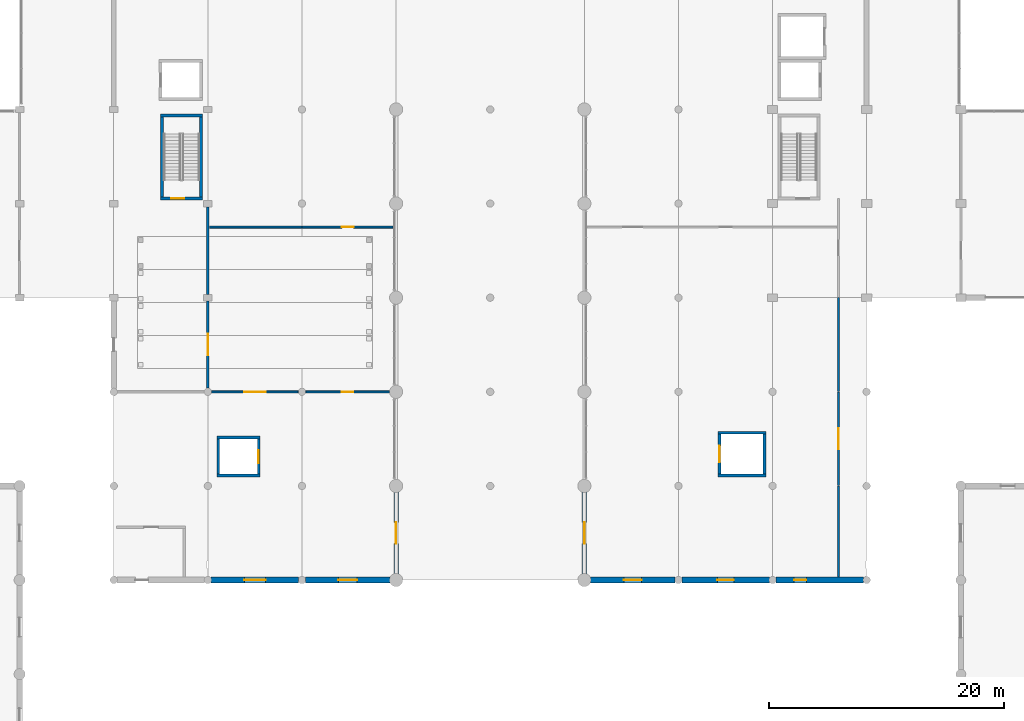
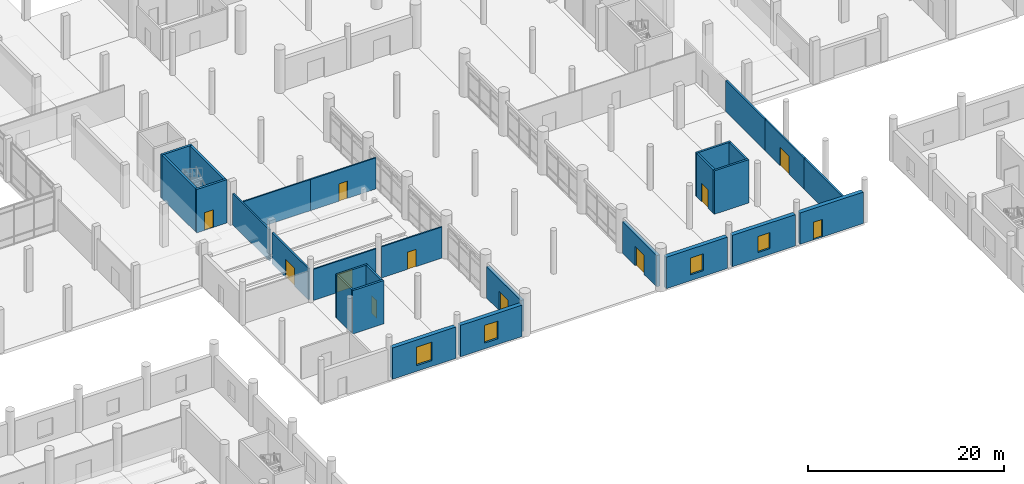
# One storey, part 23 of 42: 28 walls, 11 doors, 4 windows, 15 openings.
"""IFC4 building model written with IfcOpenShell, lengths in metres."""

from ifc_helpers import new_model, si_unit, direction, frame, frame_2d, origin, place, context, subcontext, project, spatial, rectangle, extrude, material, layer, layer_set, type_object, element, fill, save


model = new_model("IFC4")

# Units and contexts
model_context = context("Model", 3, precision=1e-05, world=origin(), true_north=direction((0.0, 1.0)))
body_context = subcontext(model_context, "Body", "Model", "MODEL_VIEW")
ifc_project = project(units=[si_unit("LENGTHUNIT", "METRE"), si_unit("AREAUNIT", "SQUARE_METRE"), si_unit("VOLUMEUNIT", "CUBIC_METRE"), si_unit("PLANEANGLEUNIT", "RADIAN"), si_unit("MASSUNIT", "GRAM", prefix="KILO")], contexts=[model_context])

# Site, building, storey
site_placement = place(None, origin())
site = spatial("IfcSite", under=ifc_project, at=site_placement, CompositionType="ELEMENT")
building_placement = place(site_placement, origin())
building = spatial("IfcBuilding", under=site, at=building_placement, Name="Pecanmere Concourse Central Library", CompositionType="ELEMENT")
storey_placement = place(building_placement, origin())
storey = spatial("IfcBuildingStorey", under=building, at=storey_placement, Name="L01", CompositionType="ELEMENT", Elevation=0.0)

# Wall, opening, window
ifc_material_1 = material(Name="Texas sunset granite ashlar", Category="masonry")
ifc_layer_1 = layer(ifc_material_1, 0.47998046875, Name="EW_GRAN_480")
ifc_layer_set_1 = layer_set([ifc_layer_1], Name="Texas sunset granite ashlar")
wall_type_1 = type_object("IfcWallType", Name="EW_GRAN_480", PredefinedType="STANDARD", material=ifc_layer_set_1)
wall_1_placement = place(storey_placement, frame((64.279052734375, 24.0, 0.0), z_axis=(0.0, 0.0, 1.0), x_axis=(1.0, 0.0, 0.0)))
wall_1 = element("IfcWall", 1, at=wall_1_placement, inside=storey, type_object=wall_type_1, Name="Limestone Facade Wall L01-0218", PredefinedType="STANDARD", context=body_context, shape_type="SweptSolid", body=[
    extrude(rectangle(XDim=7.44189453125, YDim=0.47998046875, at=frame_2d((3.720947265625, 0.0))), origin(), (0.0, 0.0, 1.0), 3.909912109375),
])
opening_1_placement = place(wall_1_placement, frame((2.821044921875, 0.0, 0.719970703125)))
opening_1 = element("IfcOpeningElement", 2, at=opening_1_placement, cuts=wall_1, Name="Opening WN-04", PredefinedType="OPENING", context=body_context, shape_type="SweptSolid", body=[
    extrude(rectangle(XDim=1.800048828125, YDim=2.300048828125, at=frame_2d((0.89990234375, 1.14990234375))), frame((0.0, 0.251953125, 0.0), z_axis=(0.0, -1.0, 0.0), x_axis=(1.0, 0.0, 0.0)), (0.0, 0.0, 1.0), 0.50390625),
])
ifc_material_2 = material(Name="Low-iron clear insulated glazing", Category="glass")
window_type_1 = type_object("IfcWindowType", Name="WIN_1800x2300", PartitioningType="SINGLE_PANEL", PredefinedType="WINDOW", material=ifc_material_2)
window_1_placement = place(opening_1_placement, origin())
window_1 = element("IfcWindow", 3, at=window_1_placement, inside=storey, type_object=window_type_1, Name="WN-182", OverallHeight=2.300048828125, OverallWidth=1.800048828125, PartitioningType="SINGLE_PANEL", PredefinedType="WINDOW", context=body_context, shape_type="SweptSolid", body=[
    extrude(rectangle(XDim=1.800048828125, YDim=2.300048828125, at=frame_2d((0.89990234375, 1.14990234375))), frame((0.0, 0.030029296875, 0.0), z_axis=(0.0, -1.0, 0.0), x_axis=(1.0, 0.0, 0.0)), (0.0, 0.0, 1.0), 0.06005859375),
])
fill(opening_1, window_1)

wall_2_placement = place(storey_placement, frame((72.279052734375, 24.0, 0.0), z_axis=(0.0, 0.0, 1.0), x_axis=(1.0, 0.0, 0.0)))
wall_2 = element("IfcWall", 4, at=wall_2_placement, inside=storey, type_object=wall_type_1, Name="Limestone Facade Wall L01-0219", PredefinedType="STANDARD", context=body_context, shape_type="SweptSolid", body=[
    extrude(rectangle(XDim=7.217041015625, YDim=0.47998046875, at=frame_2d((3.6083984375, 0.0))), origin(), (0.0, 0.0, 1.0), 3.909912109375),
])
opening_2_placement = place(wall_2_placement, frame((2.80859375, 0.0, 0.719970703125)))
opening_2 = element("IfcOpeningElement", 5, at=opening_2_placement, cuts=wall_2, Name="Opening WN-06", PredefinedType="OPENING", context=body_context, shape_type="SweptSolid", body=[
    extrude(rectangle(XDim=1.60009765625, YDim=2.199951171875, at=frame_2d((0.800048828125, 1.10009765625))), frame((0.0, 0.251953125, 0.0), z_axis=(0.0, -1.0, 0.0), x_axis=(1.0, 0.0, 0.0)), (0.0, 0.0, 1.0), 0.50390625),
])
ifc_material_3 = material(Name="Low-iron clear insulated glazing", Category="glass")
window_type_2 = type_object("IfcWindowType", Name="WIN_1600x2200", PartitioningType="SINGLE_PANEL", PredefinedType="WINDOW", material=ifc_material_3)
window_2_placement = place(opening_2_placement, origin())
window_2 = element("IfcWindow", 6, at=window_2_placement, inside=storey, type_object=window_type_2, Name="WN-183", OverallHeight=2.199951171875, OverallWidth=1.60009765625, PartitioningType="SINGLE_PANEL", PredefinedType="WINDOW", context=body_context, shape_type="SweptSolid", body=[
    extrude(rectangle(XDim=1.60009765625, YDim=2.199951171875, at=frame_2d((0.800048828125, 1.10009765625))), frame((0.0, 0.030029296875, 0.0), z_axis=(0.0, -1.0, 0.0), x_axis=(1.0, 0.0, 0.0)), (0.0, 0.0, 1.0), 0.06005859375),
])
fill(opening_2, window_2)

wall_3_placement = place(storey_placement, frame((96.50390625, 24.0, 0.0), z_axis=(0.0, 0.0, 1.0), x_axis=(1.0, 0.0, 0.0)))
wall_3 = element("IfcWall", 7, at=wall_3_placement, inside=storey, type_object=wall_type_1, Name="Limestone Facade Wall L01-0220", PredefinedType="STANDARD", context=body_context, shape_type="SweptSolid", body=[
    extrude(rectangle(XDim=7.217041015625, YDim=0.47998046875, at=frame_2d((3.6083984375, 0.0))), origin(), (0.0, 0.0, 1.0), 3.909912109375),
])
opening_3_placement = place(wall_3_placement, frame((2.8583984375, 0.0, 0.719970703125)))
opening_3 = element("IfcOpeningElement", 8, at=opening_3_placement, cuts=wall_3, Name="Opening WN-08", PredefinedType="OPENING", context=body_context, shape_type="SweptSolid", body=[
    extrude(rectangle(XDim=1.5, YDim=2.10009765625, at=frame_2d((0.75, 1.050048828125))), frame((0.0, 0.251953125, 0.0), z_axis=(0.0, -1.0, 0.0), x_axis=(1.0, 0.0, 0.0)), (0.0, 0.0, 1.0), 0.50390625),
])
ifc_material_4 = material(Name="Low-iron clear insulated glazing", Category="glass")
window_type_3 = type_object("IfcWindowType", Name="WIN_1500x2100", PartitioningType="SINGLE_PANEL", PredefinedType="WINDOW", material=ifc_material_4)
window_3_placement = place(opening_3_placement, origin())
window_3 = element("IfcWindow", 9, at=window_3_placement, inside=storey, type_object=window_type_3, Name="WN-184", OverallHeight=2.10009765625, OverallWidth=1.5, PartitioningType="SINGLE_PANEL", PredefinedType="WINDOW", context=body_context, shape_type="SweptSolid", body=[
    extrude(rectangle(XDim=1.5, YDim=2.10009765625, at=frame_2d((0.75, 1.050048828125))), frame((0.0, 0.030029296875, 0.0), z_axis=(0.0, -1.0, 0.0), x_axis=(1.0, 0.0, 0.0)), (0.0, 0.0, 1.0), 0.06005859375),
])
fill(opening_3, window_3)

wall_4_placement = place(storey_placement, frame((104.279052734375, 24.0, 0.0), z_axis=(0.0, 0.0, 1.0), x_axis=(1.0, 0.0, 0.0)))
wall_4 = element("IfcWall", 10, at=wall_4_placement, inside=storey, type_object=wall_type_1, Name="Limestone Facade Wall L01-0221", PredefinedType="STANDARD", context=body_context, shape_type="SweptSolid", body=[
    extrude(rectangle(XDim=7.44189453125, YDim=0.47998046875, at=frame_2d((3.720947265625, 0.0))), origin(), (0.0, 0.0, 1.0), 3.909912109375),
])
opening_4_placement = place(wall_4_placement, frame((3.02099609375, 0.0, 0.719970703125)))
opening_4 = element("IfcOpeningElement", 11, at=opening_4_placement, cuts=wall_4, Name="Opening WN-10", PredefinedType="OPENING", context=body_context, shape_type="SweptSolid", body=[
    extrude(rectangle(XDim=1.39990234375, YDim=2.0, at=frame_2d((0.699951171875, 1.0))), frame((0.0, 0.251953125, 0.0), z_axis=(0.0, -1.0, 0.0), x_axis=(1.0, 0.0, 0.0)), (0.0, 0.0, 1.0), 0.50390625),
])
ifc_material_5 = material(Name="Low-iron clear insulated glazing", Category="glass")
window_type_4 = type_object("IfcWindowType", Name="WIN_1400x2000", PartitioningType="SINGLE_PANEL", PredefinedType="WINDOW", material=ifc_material_5)
window_4_placement = place(opening_4_placement, origin())
window_4 = element("IfcWindow", 12, at=window_4_placement, inside=storey, type_object=window_type_4, Name="WN-185", OverallHeight=2.0, OverallWidth=1.39990234375, PartitioningType="SINGLE_PANEL", PredefinedType="WINDOW", context=body_context, shape_type="SweptSolid", body=[
    extrude(rectangle(XDim=1.39990234375, YDim=2.0, at=frame_2d((0.699951171875, 1.0))), frame((0.0, 0.030029296875, 0.0), z_axis=(0.0, -1.0, 0.0), x_axis=(1.0, 0.0, 0.0)), (0.0, 0.0, 1.0), 0.06005859375),
])
fill(opening_4, window_4)

# Wall, opening, door
wall_5_placement = place(storey_placement, frame((112.279052734375, 24.0, 0.0), z_axis=(0.0, 0.0, 1.0), x_axis=(1.0, 0.0, 0.0)))
wall_5 = element("IfcWall", 13, at=wall_5_placement, inside=storey, type_object=wall_type_1, Name="Limestone Facade Wall L01-0222", PredefinedType="STANDARD", context=body_context, shape_type="SweptSolid", body=[
    extrude(rectangle(XDim=7.44189453125, YDim=0.47998046875, at=frame_2d((3.720947265625, 0.0))), origin(), (0.0, 0.0, 1.0), 3.909912109375),
])
opening_5_placement = place(wall_5_placement, frame((1.550048828125, 0.0, 0.0)))
opening_5 = element("IfcOpeningElement", 14, at=opening_5_placement, cuts=wall_5, Name="Opening ED-05", PredefinedType="OPENING", context=body_context, shape_type="SweptSolid", body=[
    extrude(rectangle(XDim=1.050048828125, YDim=2.199951171875, at=frame_2d((0.52490234375, 1.10009765625))), frame((0.0, 0.251953125, 0.0), z_axis=(0.0, -1.0, 0.0), x_axis=(1.0, 0.0, 0.0)), (0.0, 0.0, 1.0), 0.50390625),
])
ifc_material_6 = material(Name="Anodized bronze aluminium alloy 6063-T6", Category="aluminium")
door_type_1 = type_object("IfcDoorType", Name="ED-05", OperationType="SINGLE_SWING_RIGHT", PredefinedType="DOOR", material=ifc_material_6)
door_1_placement = place(opening_5_placement, frame((1.050048828125, 0.0, 0.0), z_axis=(0.0, 0.0, 1.0), x_axis=(-1.0, 0.0, 0.0)))
door_1 = element("IfcDoor", 15, at=door_1_placement, inside=storey, type_object=door_type_1, Name="ED-021", OperationType="SINGLE_SWING_RIGHT", OverallHeight=2.199951171875, OverallWidth=1.050048828125, PredefinedType="DOOR", context=body_context, shape_type="SweptSolid", body=[
    extrude(rectangle(XDim=1.050048828125, YDim=2.199951171875, at=frame_2d((0.52490234375, 1.10009765625))), frame((0.0, 0.02490234375, 0.0), z_axis=(0.0, -1.0, 0.0), x_axis=(1.0, 0.0, 0.0)), (0.0, 0.0, 1.0), 0.050048828125),
])
fill(opening_5, door_1)

ifc_material_7 = material(Name="Texas cream limestone ashlar masonry", Category="masonry")
ifc_layer_2 = layer(ifc_material_7, 0.389892578125, Name="EW_LIME_390")
ifc_layer_set_2 = layer_set([ifc_layer_2], Name="Texas cream limestone ashlar masonry")
wall_type_2 = type_object("IfcWallType", Name="EW_LIME_390", PredefinedType="STANDARD", material=ifc_layer_set_2)
wall_6_placement = place(storey_placement, frame((80.0, 24.50390625, 0.0), z_axis=(0.0, 0.0, 1.0), x_axis=(0.0, 1.0, 0.0)))
wall_6 = element("IfcWall", 16, at=wall_6_placement, inside=storey, type_object=wall_type_2, Name="Limestone Facade Wall L01-0008", PredefinedType="STANDARD", context=body_context, shape_type="SweptSolid", body=[
    extrude(rectangle(XDim=6.9921875, YDim=0.389892578125, at=frame_2d((3.49609375, 0.0))), origin(), (0.0, 0.0, 1.0), 3.909912109375),
])
opening_6_placement = place(wall_6_placement, frame((2.595947265625, 0.0, 0.0)))
opening_6 = element("IfcOpeningElement", 17, at=opening_6_placement, cuts=wall_6, Name="Opening ED-03", PredefinedType="OPENING", context=body_context, shape_type="SweptSolid", body=[
    extrude(rectangle(XDim=1.800048828125, YDim=2.39990234375, at=frame_2d((0.89990234375, 1.199951171875))), frame((0.0, 0.20703125, 0.0), z_axis=(0.0, -1.0, 0.0), x_axis=(1.0, 0.0, 0.0)), (0.0, 0.0, 1.0), 0.413818359375),
])
ifc_material_8 = material(Name="Architectural anodized bronze")
door_type_2 = type_object("IfcDoorType", Name="ED-03", OperationType="DOUBLE_DOOR_SINGLE_SWING", PredefinedType="DOOR", material=ifc_material_8)
door_2_placement = place(opening_6_placement, frame((1.800048828125, 0.0, 0.0), z_axis=(0.0, 0.0, 1.0), x_axis=(-1.0, 0.0, 0.0)))
door_2 = element("IfcDoor", 18, at=door_2_placement, inside=storey, type_object=door_type_2, Name="ED-008", OperationType="DOUBLE_DOOR_SINGLE_SWING", OverallHeight=2.39990234375, OverallWidth=1.800048828125, PredefinedType="DOOR", context=body_context, shape_type="SweptSolid", body=[
    extrude(rectangle(XDim=1.800048828125, YDim=2.39990234375, at=frame_2d((0.89990234375, 1.199951171875))), frame((0.0, 0.02490234375, 0.0), z_axis=(0.0, -1.0, 0.0), x_axis=(1.0, 0.0, 0.0)), (0.0, 0.0, 1.0), 0.050048828125),
])
fill(opening_6, door_2)

wall_7_placement = place(storey_placement, frame((96.0, 24.50390625, 0.0), z_axis=(0.0, 0.0, 1.0), x_axis=(0.0, 1.0, 0.0)))
wall_7 = element("IfcWall", 19, at=wall_7_placement, inside=storey, type_object=wall_type_2, Name="Limestone Facade Wall L01-0009", PredefinedType="STANDARD", context=body_context, shape_type="SweptSolid", body=[
    extrude(rectangle(XDim=6.9921875, YDim=0.389892578125, at=frame_2d((3.49609375, 0.0))), origin(), (0.0, 0.0, 1.0), 3.909912109375),
])
opening_7_placement = place(wall_7_placement, frame((2.595947265625, 0.0, 0.0)))
opening_7 = element("IfcOpeningElement", 20, at=opening_7_placement, cuts=wall_7, Name="Opening ED-03", PredefinedType="OPENING", context=body_context, shape_type="SweptSolid", body=[
    extrude(rectangle(XDim=1.800048828125, YDim=2.39990234375, at=frame_2d((0.89990234375, 1.199951171875))), frame((0.0, 0.20703125, 0.0), z_axis=(0.0, -1.0, 0.0), x_axis=(1.0, 0.0, 0.0)), (0.0, 0.0, 1.0), 0.413818359375),
])
door_3_placement = place(opening_7_placement, origin())
door_3 = element("IfcDoor", 21, at=door_3_placement, inside=storey, type_object=door_type_2, Name="ED-009", OperationType="DOUBLE_DOOR_SINGLE_SWING", OverallHeight=2.39990234375, OverallWidth=1.800048828125, PredefinedType="DOOR", context=body_context, shape_type="SweptSolid", body=[
    extrude(rectangle(XDim=1.800048828125, YDim=2.39990234375, at=frame_2d((0.89990234375, 1.199951171875))), frame((0.0, 0.02490234375, 0.0), z_axis=(0.0, -1.0, 0.0), x_axis=(1.0, 0.0, 0.0)), (0.0, 0.0, 1.0), 0.050048828125),
])
fill(opening_7, door_3)

ifc_material_9 = material(Name="Fire-rated gypsum board on acoustic steel stud", Category="steel")
ifc_layer_3 = layer(ifc_material_9, 0.159912109375, Name="IW_PART_160")
ifc_layer_set_3 = layer_set([ifc_layer_3], Name="Fire-rated gypsum board on acoustic steel stud")
wall_type_3 = type_object("IfcWallType", Name="IW_PART_160", PredefinedType="PARTITIONING", material=ifc_layer_set_3)
wall_8_placement = place(storey_placement, frame((64.320068359375, 40.0, 0.0), z_axis=(0.0, 0.0, 1.0), x_axis=(1.0, 0.0, 0.0)))
wall_8 = element("IfcWall", 22, at=wall_8_placement, inside=storey, type_object=wall_type_3, Name="Interior Partition L01-0105", PredefinedType="PARTITIONING", context=body_context, shape_type="SweptSolid", body=[
    extrude(rectangle(XDim=7.35986328125, YDim=0.159912109375, at=frame_2d((3.679931640625, 0.0))), origin(), (0.0, 0.0, 1.0), 3.8798828125),
])
opening_8_placement = place(wall_8_placement, frame((2.780029296875, 0.0, 0.0)))
opening_8 = element("IfcOpeningElement", 23, at=opening_8_placement, cuts=wall_8, Name="Opening DT-01", PredefinedType="OPENING", context=body_context, shape_type="SweptSolid", body=[
    extrude(rectangle(XDim=1.800048828125, YDim=2.300048828125, at=frame_2d((0.89990234375, 1.14990234375))), frame((0.0, 0.091796875, 0.0), z_axis=(0.0, -1.0, 0.0), x_axis=(1.0, 0.0, 0.0)), (0.0, 0.0, 1.0), 0.183837890625),
])
ifc_material_10 = material(Name="Solid white oak architectural joinery")
door_type_3 = type_object("IfcDoorType", Name="DT-01", OperationType="DOUBLE_DOOR_SINGLE_SWING", PredefinedType="DOOR", material=ifc_material_10)
door_4_placement = place(opening_8_placement, frame((1.800048828125, 0.0, 0.0), z_axis=(0.0, 0.0, 1.0), x_axis=(-1.0, 0.0, 0.0)))
door_4 = element("IfcDoor", 24, at=door_4_placement, inside=storey, type_object=door_type_3, Name="D-171", OperationType="DOUBLE_DOOR_SINGLE_SWING", OverallHeight=2.300048828125, OverallWidth=1.800048828125, PredefinedType="DOOR", context=body_context, shape_type="SweptSolid", body=[
    extrude(rectangle(XDim=1.800048828125, YDim=2.300048828125, at=frame_2d((0.89990234375, 1.14990234375))), frame((0.0, 0.02490234375, 0.0), z_axis=(0.0, -1.0, 0.0), x_axis=(1.0, 0.0, 0.0)), (0.0, 0.0, 1.0), 0.050048828125),
])
fill(opening_8, door_4)

wall_9_placement = place(storey_placement, frame((72.320068359375, 40.0, 0.0), z_axis=(0.0, 0.0, 1.0), x_axis=(1.0, 0.0, 0.0)))
wall_9 = element("IfcWall", 25, at=wall_9_placement, inside=storey, type_object=wall_type_3, Name="Interior Partition L01-0106", PredefinedType="PARTITIONING", context=body_context, shape_type="SweptSolid", body=[
    extrude(rectangle(XDim=7.10986328125, YDim=0.159912109375, at=frame_2d((3.554931640625, 0.0))), origin(), (0.0, 0.0, 1.0), 3.8798828125),
])
opening_9_placement = place(wall_9_placement, frame((3.054931640625, 0.0, 0.0)))
opening_9 = element("IfcOpeningElement", 26, at=opening_9_placement, cuts=wall_9, Name="Opening DT-04", PredefinedType="OPENING", context=body_context, shape_type="SweptSolid", body=[
    extrude(rectangle(XDim=1.0, YDim=2.14990234375, at=frame_2d((0.5, 1.074951171875))), frame((0.0, 0.091796875, 0.0), z_axis=(0.0, -1.0, 0.0), x_axis=(1.0, 0.0, 0.0)), (0.0, 0.0, 1.0), 0.183837890625),
])
ifc_material_11 = material(Name="Solid white oak architectural joinery")
door_type_4 = type_object("IfcDoorType", Name="DT-04", OperationType="SINGLE_SWING_RIGHT", PredefinedType="DOOR", material=ifc_material_11)
door_5_placement = place(opening_9_placement, origin())
door_5 = element("IfcDoor", 27, at=door_5_placement, inside=storey, type_object=door_type_4, Name="D-172", OperationType="SINGLE_SWING_RIGHT", OverallHeight=2.14990234375, OverallWidth=1.0, PredefinedType="DOOR", context=body_context, shape_type="SweptSolid", body=[
    extrude(rectangle(XDim=1.0, YDim=2.14990234375, at=frame_2d((0.5, 1.074951171875))), frame((0.0, 0.02490234375, 0.0), z_axis=(0.0, -1.0, 0.0), x_axis=(1.0, 0.0, 0.0)), (0.0, 0.0, 1.0), 0.050048828125),
])
fill(opening_9, door_5)

# Wall
wall_10_placement = place(storey_placement, frame((64.14990234375, 54.0, 0.0), z_axis=(0.0, 0.0, 1.0), x_axis=(1.0, 0.0, 0.0)))
element("IfcWall", 28, at=wall_10_placement, inside=storey, type_object=wall_type_3, Name="Interior Partition L01-0107", PredefinedType="PARTITIONING", context=body_context, shape_type="SweptSolid", body=[
    extrude(rectangle(XDim=7.85009765625, YDim=0.159912109375, at=frame_2d((3.925048828125, 0.0))), origin(), (0.0, 0.0, 1.0), 3.8798828125),
])

# Wall, opening, door
wall_11_placement = place(storey_placement, frame((72.02001953125, 54.0, 0.0), z_axis=(0.0, 0.0, 1.0), x_axis=(1.0, 0.0, 0.0)))
wall_11 = element("IfcWall", 29, at=wall_11_placement, inside=storey, type_object=wall_type_3, Name="Interior Partition L01-0108", PredefinedType="PARTITIONING", context=body_context, shape_type="SweptSolid", body=[
    extrude(rectangle(XDim=7.72998046875, YDim=0.159912109375, at=frame_2d((3.864990234375, 0.0))), origin(), (0.0, 0.0, 1.0), 3.8798828125),
])
opening_10_placement = place(wall_11_placement, frame((3.364990234375, 0.0, 0.0)))
opening_10 = element("IfcOpeningElement", 30, at=opening_10_placement, cuts=wall_11, Name="Opening DT-03", PredefinedType="OPENING", context=body_context, shape_type="SweptSolid", body=[
    extrude(rectangle(XDim=1.0, YDim=2.14990234375, at=frame_2d((0.5, 1.074951171875))), frame((0.0, 0.091796875, 0.0), z_axis=(0.0, -1.0, 0.0), x_axis=(1.0, 0.0, 0.0)), (0.0, 0.0, 1.0), 0.183837890625),
])
ifc_material_12 = material(Name="Solid white oak architectural joinery")
door_type_5 = type_object("IfcDoorType", Name="DT-03", OperationType="SINGLE_SWING_LEFT", PredefinedType="DOOR", material=ifc_material_12)
door_6_placement = place(opening_10_placement, frame((1.0, 0.0, 0.0), z_axis=(0.0, 0.0, 1.0), x_axis=(-1.0, 0.0, 0.0)))
door_6 = element("IfcDoor", 31, at=door_6_placement, inside=storey, type_object=door_type_5, Name="D-173", OperationType="SINGLE_SWING_LEFT", OverallHeight=2.14990234375, OverallWidth=1.0, PredefinedType="DOOR", context=body_context, shape_type="SweptSolid", body=[
    extrude(rectangle(XDim=1.0, YDim=2.14990234375, at=frame_2d((0.5, 1.074951171875))), frame((0.0, 0.02490234375, 0.0), z_axis=(0.0, -1.0, 0.0), x_axis=(1.0, 0.0, 0.0)), (0.0, 0.0, 1.0), 0.050048828125),
])
fill(opening_10, door_6)

# Wall
ifc_material_13 = material(Name="Fire-rated gypsum board on acoustic steel stud", Category="steel")
ifc_layer_4 = layer(ifc_material_13, 0.199951171875, Name="IW_PART_200")
ifc_layer_set_4 = layer_set([ifc_layer_4], Name="Fire-rated gypsum board on acoustic steel stud")
wall_type_4 = type_object("IfcWallType", Name="IW_PART_200", PredefinedType="PARTITIONING", material=ifc_layer_set_4)
wall_12_placement = place(storey_placement, frame((117.60009765625, 24.260009765625, 0.0), z_axis=(0.0, 0.0, 1.0), x_axis=(0.0, 1.0, 0.0)))
element("IfcWall", 32, at=wall_12_placement, inside=storey, type_object=wall_type_4, Name="Interior Partition L01-0066", PredefinedType="PARTITIONING", context=body_context, shape_type="SweptSolid", body=[
    extrude(rectangle(XDim=7.739990234375, YDim=0.199951171875, at=frame_2d((3.8701171875, 0.0))), origin(), (0.0, 0.0, 1.0), 3.8798828125),
])

# Wall, opening, door
wall_13_placement = place(storey_placement, frame((117.60009765625, 32.02001953125, 0.0), z_axis=(0.0, 0.0, 1.0), x_axis=(0.0, 1.0, 0.0)))
wall_13 = element("IfcWall", 33, at=wall_13_placement, inside=storey, type_object=wall_type_4, Name="Interior Partition L01-0067", PredefinedType="PARTITIONING", context=body_context, shape_type="SweptSolid", body=[
    extrude(rectangle(XDim=7.97998046875, YDim=0.199951171875, at=frame_2d((3.989990234375, 0.0))), origin(), (0.0, 0.0, 1.0), 3.8798828125),
])
opening_11_placement = place(wall_13_placement, frame((3.090087890625, 0.0, 0.0)))
opening_11 = element("IfcOpeningElement", 34, at=opening_11_placement, cuts=wall_13, Name="Opening FD-03", PredefinedType="OPENING", context=body_context, shape_type="SweptSolid", body=[
    extrude(rectangle(XDim=1.800048828125, YDim=2.25, at=frame_2d((0.89990234375, 1.125))), frame((0.0, 0.11181640625, 0.0), z_axis=(0.0, -1.0, 0.0), x_axis=(1.0, 0.0, 0.0)), (0.0, 0.0, 1.0), 0.223876953125),
])
ifc_material_14 = material(Name="Painted architectural steel ASTM A36", Category="steel")
door_type_6 = type_object("IfcDoorType", Name="FD-03", OperationType="DOUBLE_DOOR_SINGLE_SWING", PredefinedType="DOOR", material=ifc_material_14)
door_7_placement = place(opening_11_placement, frame((1.800048828125, 0.0, 0.0), z_axis=(0.0, 0.0, 1.0), x_axis=(-1.0, 0.0, 0.0)))
door_7 = element("IfcDoor", 35, at=door_7_placement, inside=storey, type_object=door_type_6, Name="D-151", OperationType="DOUBLE_DOOR_SINGLE_SWING", OverallHeight=2.25, OverallWidth=1.800048828125, PredefinedType="DOOR", context=body_context, shape_type="SweptSolid", body=[
    extrude(rectangle(XDim=1.800048828125, YDim=2.25, at=frame_2d((0.89990234375, 1.125))), frame((0.0, 0.02490234375, 0.0), z_axis=(0.0, -1.0, 0.0), x_axis=(1.0, 0.0, 0.0)), (0.0, 0.0, 1.0), 0.050048828125),
])
fill(opening_11, door_7)

# Wall
wall_14_placement = place(storey_placement, frame((117.60009765625, 40.02001953125, 0.0), z_axis=(0.0, 0.0, 1.0), x_axis=(0.0, 1.0, 0.0)))
element("IfcWall", 36, at=wall_14_placement, inside=storey, type_object=wall_type_4, Name="Interior Partition L01-0068", PredefinedType="PARTITIONING", context=body_context, shape_type="SweptSolid", body=[
    extrude(rectangle(XDim=7.97998046875, YDim=0.199951171875, at=frame_2d((3.989990234375, 0.0))), origin(), (0.0, 0.0, 1.0), 3.8798828125),
])

# Wall, opening, door
wall_15_placement = place(storey_placement, frame((64.0, 40.320068359375, 0.0), z_axis=(0.0, 0.0, 1.0), x_axis=(0.0, 1.0, 0.0)))
wall_15 = element("IfcWall", 37, at=wall_15_placement, inside=storey, type_object=wall_type_4, Name="Interior Partition L01-0070", PredefinedType="PARTITIONING", context=body_context, shape_type="SweptSolid", body=[
    extrude(rectangle(XDim=7.39990234375, YDim=0.199951171875, at=frame_2d((3.699951171875, 0.0))), origin(), (0.0, 0.0, 1.0), 3.8798828125),
])
opening_12_placement = place(wall_15_placement, frame((2.800048828125, 0.0, 0.0)))
opening_12 = element("IfcOpeningElement", 38, at=opening_12_placement, cuts=wall_15, Name="Opening FD-03", PredefinedType="OPENING", context=body_context, shape_type="SweptSolid", body=[
    extrude(rectangle(XDim=1.800048828125, YDim=2.25, at=frame_2d((0.89990234375, 1.125))), frame((0.0, 0.11181640625, 0.0), z_axis=(0.0, -1.0, 0.0), x_axis=(1.0, 0.0, 0.0)), (0.0, 0.0, 1.0), 0.223876953125),
])
door_8_placement = place(opening_12_placement, frame((1.800048828125, 0.0, 0.0), z_axis=(0.0, 0.0, 1.0), x_axis=(-1.0, 0.0, 0.0)))
door_8 = element("IfcDoor", 39, at=door_8_placement, inside=storey, type_object=door_type_6, Name="D-153", OperationType="DOUBLE_DOOR_SINGLE_SWING", OverallHeight=2.25, OverallWidth=1.800048828125, PredefinedType="DOOR", context=body_context, shape_type="SweptSolid", body=[
    extrude(rectangle(XDim=1.800048828125, YDim=2.25, at=frame_2d((0.89990234375, 1.125))), frame((0.0, 0.02490234375, 0.0), z_axis=(0.0, -1.0, 0.0), x_axis=(1.0, 0.0, 0.0)), (0.0, 0.0, 1.0), 0.050048828125),
])
fill(opening_12, door_8)

# Walls
wall_16_placement = place(storey_placement, frame((64.0, 48.280029296875, 0.0), z_axis=(0.0, 0.0, 1.0), x_axis=(0.0, 1.0, 0.0)))
element("IfcWall", 40, at=wall_16_placement, inside=storey, type_object=wall_type_4, Name="Interior Partition L01-0071", PredefinedType="PARTITIONING", context=body_context, shape_type="SweptSolid", body=[
    extrude(rectangle(XDim=7.43994140625, YDim=0.199951171875, at=frame_2d((3.719970703125, 0.0))), origin(), (0.0, 0.0, 1.0), 3.8798828125),
])
ifc_material_15 = material(Name="Concrete C40/50", Category="concrete")
ifc_layer_5 = layer(ifc_material_15, 0.239990234375, Name="WALL_SLD_240")
ifc_layer_set_5 = layer_set([ifc_layer_5], Name="Concrete C40/50")
wall_type_5 = type_object("IfcWallType", Name="WALL_SLD_240", PredefinedType="SOLIDWALL", material=ifc_layer_set_5)
for number, where, z_axis, x_axis, name in (
    (41, (64.760009765625, 32.8798828125, 0.0), (0.0, 0.0, 1.0), (1.0, 0.0, 0.0), "Hoistway Wall LP-05 L01-S"),
    (42, (64.760009765625, 36.1201171875, 0.0), (0.0, 0.0, 1.0), (1.0, 0.0, 0.0), "Hoistway Wall LP-05 L01-N"),
):
    element("IfcWall", number, at=place(storey_placement, frame(where, z_axis=z_axis, x_axis=x_axis)), inside=storey, type_object=wall_type_5, Name=name, PredefinedType="SOLIDWALL", context=body_context, shape_type="SweptSolid", body=[
        extrude(rectangle(XDim=3.679931640625, YDim=0.239990234375, at=frame_2d((1.83984375, 0.0))), origin(), (0.0, 0.0, 1.0), 5.39990234375),
    ])
wall_17_placement = place(storey_placement, frame((64.8798828125, 33.0, 0.0), z_axis=(0.0, 0.0, 1.0), x_axis=(0.0, 1.0, 0.0)))
element("IfcWall", 43, at=wall_17_placement, inside=storey, type_object=wall_type_5, Name="Hoistway Wall LP-05 L01-W", PredefinedType="SOLIDWALL", context=body_context, shape_type="SweptSolid", body=[
    extrude(rectangle(XDim=3.0, YDim=0.239990234375, at=frame_2d((1.5, 0.0))), origin(), (0.0, 0.0, 1.0), 5.39990234375),
])

# Wall, opening, door
wall_18_placement = place(storey_placement, frame((68.320068359375, 33.0, 0.0), z_axis=(0.0, 0.0, 1.0), x_axis=(0.0, 1.0, 0.0)))
wall_18 = element("IfcWall", 44, at=wall_18_placement, inside=storey, type_object=wall_type_5, Name="Hoistway Wall LP-05 L01-E", PredefinedType="SOLIDWALL", context=body_context, shape_type="SweptSolid", body=[
    extrude(rectangle(XDim=3.0, YDim=0.239990234375, at=frame_2d((1.5, 0.0))), origin(), (0.0, 0.0, 1.0), 5.39990234375),
])
opening_13_placement = place(wall_18_placement, frame((0.949951171875, 0.0, 0.0)))
opening_13 = element("IfcOpeningElement", 45, at=opening_13_placement, cuts=wall_18, Name="Opening LD-01", PredefinedType="OPENING", context=body_context, shape_type="SweptSolid", body=[
    extrude(rectangle(XDim=1.10009765625, YDim=2.199951171875, at=frame_2d((0.550048828125, 1.10009765625))), frame((0.0, 0.1318359375, 0.0), z_axis=(0.0, -1.0, 0.0), x_axis=(1.0, 0.0, 0.0)), (0.0, 0.0, 1.0), 0.263916015625),
])
ifc_material_16 = material(Name="Brushed stainless steel Grade 316", Category="steel")
door_type_7 = type_object("IfcDoorType", Name="LD-01", OperationType="DOUBLE_DOOR_SLIDING", PredefinedType="DOOR", material=ifc_material_16)
door_9_placement = place(opening_13_placement, origin())
door_9 = element("IfcDoor", 46, at=door_9_placement, inside=storey, type_object=door_type_7, Name="LD-LP-05-L01", OperationType="DOUBLE_DOOR_SLIDING", OverallHeight=2.199951171875, OverallWidth=1.10009765625, PredefinedType="DOOR", context=body_context, shape_type="SweptSolid", body=[
    extrude(rectangle(XDim=1.10009765625, YDim=2.199951171875, at=frame_2d((0.550048828125, 1.10009765625))), frame((0.0, 0.02490234375, 0.0), z_axis=(0.0, -1.0, 0.0), x_axis=(1.0, 0.0, 0.0)), (0.0, 0.0, 1.0), 0.050048828125),
])
fill(opening_13, door_9)

# Walls
for number, where, z_axis, x_axis, name in (
    (47, (107.360107421875, 32.8798828125, 0.0), (0.0, 0.0, 1.0), (1.0, 0.0, 0.0), "Hoistway Wall LS-02 L01-S"),
    (48, (107.360107421875, 36.52001953125, 0.0), (0.0, 0.0, 1.0), (1.0, 0.0, 0.0), "Hoistway Wall LS-02 L01-N"),
):
    element("IfcWall", number, at=place(storey_placement, frame(where, z_axis=z_axis, x_axis=x_axis)), inside=storey, type_object=wall_type_5, Name=name, PredefinedType="SOLIDWALL", context=body_context, shape_type="SweptSolid", body=[
        extrude(rectangle(XDim=4.079833984375, YDim=0.239990234375, at=frame_2d((2.0400390625, 0.0))), origin(), (0.0, 0.0, 1.0), 5.39990234375),
    ])

# Wall, opening, door
wall_19_placement = place(storey_placement, frame((107.47998046875, 33.0, 0.0), z_axis=(0.0, 0.0, 1.0), x_axis=(0.0, 1.0, 0.0)))
wall_19 = element("IfcWall", 49, at=wall_19_placement, inside=storey, type_object=wall_type_5, Name="Hoistway Wall LS-02 L01-W", PredefinedType="SOLIDWALL", context=body_context, shape_type="SweptSolid", body=[
    extrude(rectangle(XDim=3.39990234375, YDim=0.239990234375, at=frame_2d((1.699951171875, 0.0))), origin(), (0.0, 0.0, 1.0), 5.39990234375),
])
opening_14_placement = place(wall_19_placement, frame((1.0, 0.0, 0.0)))
opening_14 = element("IfcOpeningElement", 50, at=opening_14_placement, cuts=wall_19, Name="Opening LD-03", PredefinedType="OPENING", context=body_context, shape_type="SweptSolid", body=[
    extrude(rectangle(XDim=1.39990234375, YDim=2.300048828125, at=frame_2d((0.699951171875, 1.14990234375))), frame((0.0, 0.1318359375, 0.0), z_axis=(0.0, -1.0, 0.0), x_axis=(1.0, 0.0, 0.0)), (0.0, 0.0, 1.0), 0.263916015625),
])
ifc_material_17 = material(Name="Brushed stainless steel Grade 316", Category="steel")
door_type_8 = type_object("IfcDoorType", Name="LD-03", OperationType="DOUBLE_DOOR_SLIDING", PredefinedType="DOOR", material=ifc_material_17)
door_10_placement = place(opening_14_placement, origin())
door_10 = element("IfcDoor", 51, at=door_10_placement, inside=storey, type_object=door_type_8, Name="LD-LS-02-L01", OperationType="DOUBLE_DOOR_SLIDING", OverallHeight=2.300048828125, OverallWidth=1.39990234375, PredefinedType="DOOR", context=body_context, shape_type="SweptSolid", body=[
    extrude(rectangle(XDim=1.39990234375, YDim=2.300048828125, at=frame_2d((0.699951171875, 1.14990234375))), frame((0.0, 0.02490234375, 0.0), z_axis=(0.0, -1.0, 0.0), x_axis=(1.0, 0.0, 0.0)), (0.0, 0.0, 1.0), 0.050048828125),
])
fill(opening_14, door_10)

# Wall
wall_20_placement = place(storey_placement, frame((111.320068359375, 33.0, 0.0), z_axis=(0.0, 0.0, 1.0), x_axis=(0.0, 1.0, 0.0)))
element("IfcWall", 52, at=wall_20_placement, inside=storey, type_object=wall_type_5, Name="Hoistway Wall LS-02 L01-E", PredefinedType="SOLIDWALL", context=body_context, shape_type="SweptSolid", body=[
    extrude(rectangle(XDim=3.39990234375, YDim=0.239990234375, at=frame_2d((1.699951171875, 0.0))), origin(), (0.0, 0.0, 1.0), 5.39990234375),
])

# Wall, opening, door
ifc_material_18 = material(Name="Concrete C40/50", Category="concrete")
ifc_layer_6 = layer(ifc_material_18, 0.260009765625, Name="WALL_SLD_260")
ifc_layer_set_6 = layer_set([ifc_layer_6], Name="Concrete C40/50")
wall_type_6 = type_object("IfcWallType", Name="WALL_SLD_260", PredefinedType="SOLIDWALL", material=ifc_layer_set_6)
wall_21_placement = place(storey_placement, frame((59.97998046875, 56.419921875, 0.0), z_axis=(0.0, 0.0, 1.0), x_axis=(1.0, 0.0, 0.0)))
wall_21 = element("IfcWall", 53, at=wall_21_placement, inside=storey, type_object=wall_type_6, Name="Core C6 South Wall L01", PredefinedType="SOLIDWALL", context=body_context, shape_type="SweptSolid", body=[
    extrude(rectangle(XDim=3.580078125, YDim=0.260009765625, at=frame_2d((1.7900390625, 0.0))), origin(), (0.0, 0.0, 1.0), 5.39990234375),
])
opening_15_placement = place(wall_21_placement, frame((0.919921875, 0.0, 0.0)))
opening_15 = element("IfcOpeningElement", 54, at=opening_15_placement, cuts=wall_21, Name="Opening FD-02", PredefinedType="OPENING", context=body_context, shape_type="SweptSolid", body=[
    extrude(rectangle(XDim=1.10009765625, YDim=2.199951171875, at=frame_2d((0.550048828125, 1.10009765625))), frame((0.0, 0.14208984375, 0.0), z_axis=(0.0, -1.0, 0.0), x_axis=(1.0, 0.0, 0.0)), (0.0, 0.0, 1.0), 0.283935546875),
])
ifc_material_19 = material(Name="Painted architectural steel ASTM A36", Category="steel")
door_type_9 = type_object("IfcDoorType", Name="FD-02", OperationType="SINGLE_SWING_RIGHT", PredefinedType="DOOR", material=ifc_material_19)
door_11_placement = place(opening_15_placement, frame((1.10009765625, 0.0, 0.0), z_axis=(0.0, 0.0, 1.0), x_axis=(-1.0, 0.0, 0.0)))
door_11 = element("IfcDoor", 55, at=door_11_placement, inside=storey, type_object=door_type_9, Name="D-040", OperationType="SINGLE_SWING_RIGHT", OverallHeight=2.199951171875, OverallWidth=1.10009765625, PredefinedType="DOOR", context=body_context, shape_type="SweptSolid", body=[
    extrude(rectangle(XDim=1.10009765625, YDim=2.199951171875, at=frame_2d((0.550048828125, 1.10009765625))), frame((0.0, 0.02490234375, 0.0), z_axis=(0.0, -1.0, 0.0), x_axis=(1.0, 0.0, 0.0)), (0.0, 0.0, 1.0), 0.050048828125),
])
fill(opening_15, door_11)

# Walls
wall_22_placement = place(storey_placement, frame((59.97998046875, 63.5, 0.0), z_axis=(0.0, 0.0, 1.0), x_axis=(1.0, 0.0, 0.0)))
element("IfcWall", 56, at=wall_22_placement, inside=storey, type_object=wall_type_6, Name="Core C6 North Wall L01", PredefinedType="SOLIDWALL", context=body_context, shape_type="SweptSolid", body=[
    extrude(rectangle(XDim=3.580078125, YDim=0.260009765625, at=frame_2d((1.7900390625, 0.0))), origin(), (0.0, 0.0, 1.0), 5.39990234375),
])
for number, where, z_axis, x_axis, name in (
    (57, (60.110107421875, 56.550048828125, 0.0), (0.0, 0.0, 1.0), (0.0, 1.0, 0.0), "Core C6 W Wall L01"),
    (58, (63.429931640625, 56.550048828125, 0.0), (0.0, 0.0, 1.0), (0.0, 1.0, 0.0), "Core C6 E Wall L01"),
):
    element("IfcWall", number, at=place(storey_placement, frame(where, z_axis=z_axis, x_axis=x_axis)), inside=storey, type_object=wall_type_6, Name=name, PredefinedType="SOLIDWALL", context=body_context, shape_type="SweptSolid", body=[
        extrude(rectangle(XDim=6.820068359375, YDim=0.260009765625, at=frame_2d((3.41015625, 0.0))), origin(), (0.0, 0.0, 1.0), 5.39990234375),
    ])

save(model, "model.ifc")
